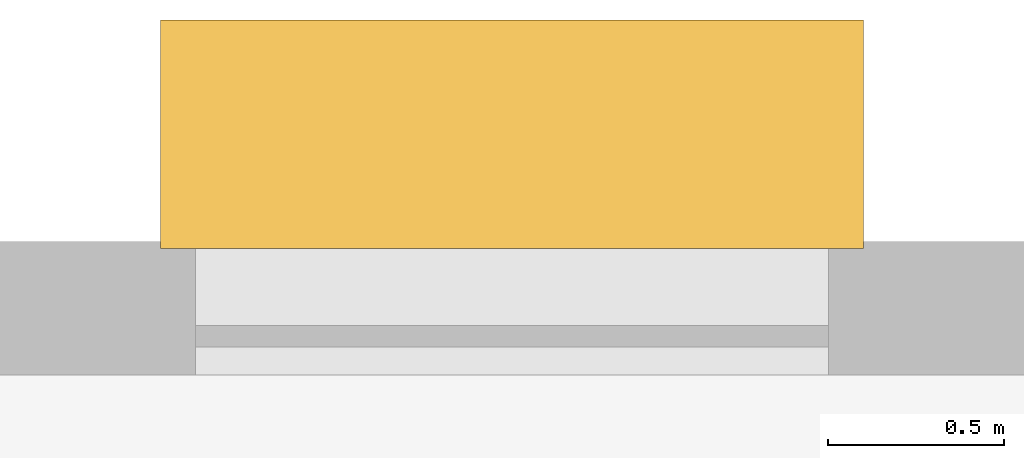
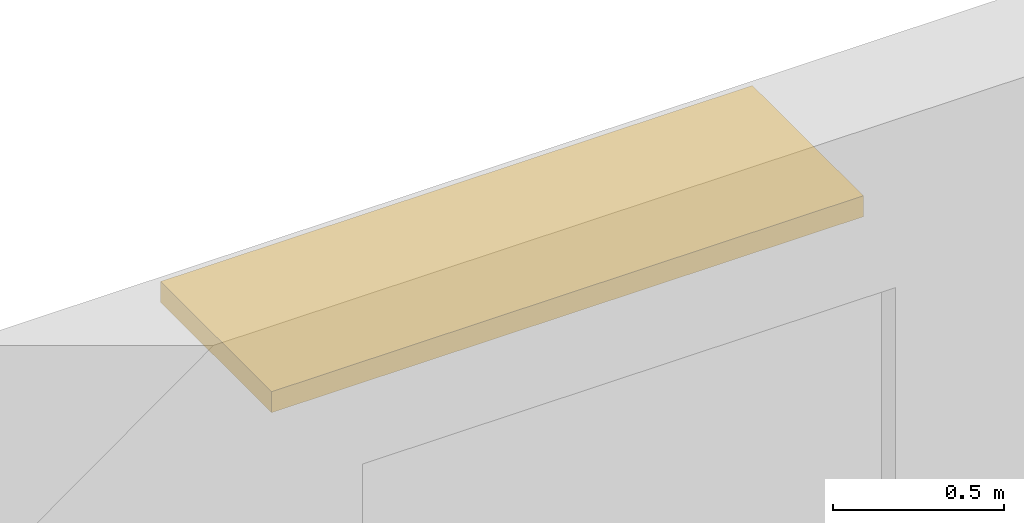
# One storey, part 7 of 7: 1 shading device.
"""IFC4 building model written with IfcOpenShell, lengths in metres."""

from ifc_helpers import new_model, si_unit, direction, frame, origin, origin_2d, place, context, subcontext, project, spatial, rectangle, extrude, material, layer, layer_set, type_object, element, save


model = new_model("IFC4")

# Units and contexts
model_context = context("Model", 3, precision=1e-05, world=origin(), true_north=direction((0.0, 1.0)))
body_context = subcontext(model_context, "Body", "Model", "MODEL_VIEW")
ifc_project = project(units=[si_unit("LENGTHUNIT", "METRE"), si_unit("AREAUNIT", "SQUARE_METRE"), si_unit("VOLUMEUNIT", "CUBIC_METRE"), si_unit("PLANEANGLEUNIT", "RADIAN"), si_unit("MASSUNIT", "GRAM", prefix="KILO")], contexts=[model_context])

# Site, building, storey
site_placement = place(None, origin())
site = spatial("IfcSite", under=ifc_project, at=site_placement, CompositionType="ELEMENT")
building_placement = place(site_placement, origin())
building = spatial("IfcBuilding", under=site, at=building_placement, Name="Mawjdan Bourse Tower", CompositionType="ELEMENT")
storey_placement = place(building_placement, frame((0.0, 0.0, 128.39990234375)))
storey = spatial("IfcBuildingStorey", under=building, at=storey_placement, Name="L30", CompositionType="ELEMENT", Elevation=128.39990234375)

# Shading device
ifc_material = material(Name="Bronze Anodised Aluminium", Category="aluminium")
ifc_layer = layer(ifc_material, 0.074951171875)
ifc_layer_set = layer_set([ifc_layer], Name="Bronze Anodised Aluminium")
shading_device_type = type_object("IfcShadingDeviceType", Name="SHD-SUN-650", PredefinedType="USERDEFINED", material=ifc_layer_set)
shading_device_placement = place(storey_placement, frame((19.933349609375, 48.304931640625, 3.10009765625), z_axis=(0.0, 0.0, 1.0), x_axis=(-1.0, 0.0, 0.0)))
element("IfcShadingDevice", 1, at=shading_device_placement, inside=storey, type_object=shading_device_type, Name="L30 Solar Window Hood 06", ObjectType="SUNSHADE", PredefinedType="USERDEFINED", context=body_context, shape_type="SweptSolid", body=[
    extrude(rectangle(XDim=2.0, YDim=0.64990234375, at=origin_2d()), origin(), (0.0, 0.0, 1.0), 0.074951171875),
])

save(model, "model.ifc")
